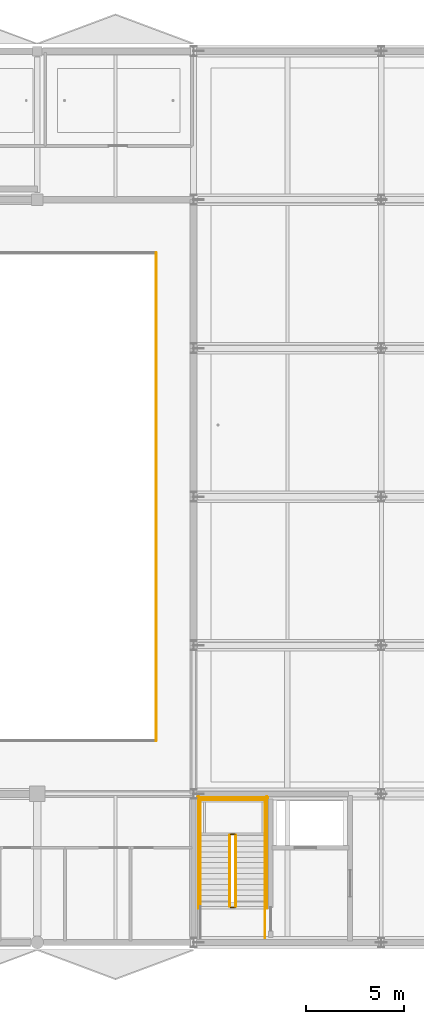
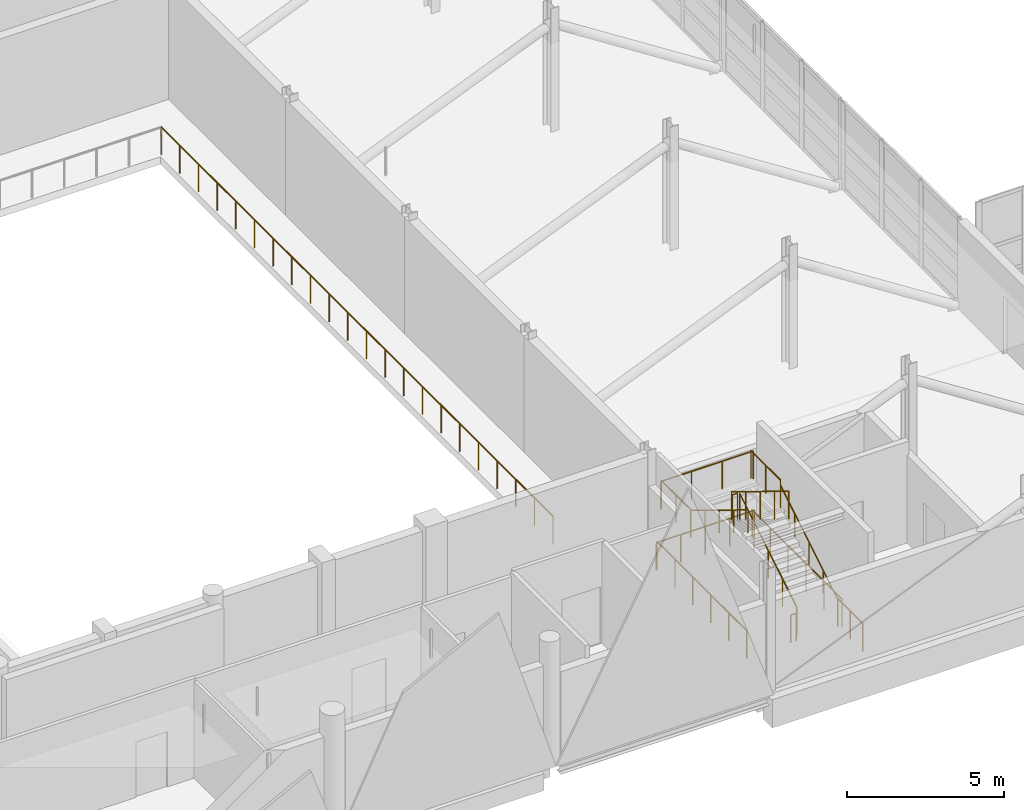
# One storey, part 129 of 141: 14 railings.
"""IFC4 building model written with IfcOpenShell, lengths in metres."""

from ifc_helpers import new_model, si_unit, direction, frame, origin, origin_2d, place, context, subcontext, project, spatial, circle, extrude, material, type_object, element, save


model = new_model("IFC4")

# Units and contexts
model_context = context("Model", 3, precision=1e-05, world=origin(), true_north=direction((0.0, 1.0)))
body_context = subcontext(model_context, "Body", "Model", "MODEL_VIEW")
ifc_project = project(units=[si_unit("LENGTHUNIT", "METRE"), si_unit("AREAUNIT", "SQUARE_METRE"), si_unit("VOLUMEUNIT", "CUBIC_METRE"), si_unit("PLANEANGLEUNIT", "RADIAN"), si_unit("MASSUNIT", "GRAM", prefix="KILO")], contexts=[model_context])

# Site, building, storey
site_placement = place(None, origin())
site = spatial("IfcSite", under=ifc_project, at=site_placement, CompositionType="ELEMENT")
building_placement = place(site_placement, origin())
building = spatial("IfcBuilding", under=site, at=building_placement, Name="Khelvaren Railside Concert Hall", CompositionType="ELEMENT")
storey_placement = place(building_placement, frame((0.0, 0.0, 10.199951171875)))
storey = spatial("IfcBuildingStorey", under=building, at=storey_placement, Name="L02", CompositionType="ELEMENT", Elevation=10.199951171875)

# Railings
ifc_material_1 = material(Name="Painted architectural steel", Category="steel")
railing_type_1 = type_object("IfcRailingType", Name="GRD86", PredefinedType="GUARDRAIL", material=ifc_material_1)
railing_1_placement = place(storey_placement, frame((42.14990234375, 1.840087890625, 0.17138671875)))
element("IfcRailing", 1, at=railing_1_placement, inside=storey, type_object=railing_type_1, Name="L02 ST-02 stair guard 1", PredefinedType="GUARDRAIL", context=body_context, shape_type="SweptSolid", body=[
    extrude(circle(Radius=0.02392578125, at=origin_2d()), frame((0.0, 0.0, 1.076171875), z_axis=(0.0, 0.852824790078, 0.522197163366), x_axis=(-1.0, 0.0, 0.0)), (0.0, 0.0, 1.0), 4.26806640625),
    extrude(circle(Radius=0.02099609375, at=origin_2d()), origin(), (0.0, 0.0, 1.0), 1.052001953125),
    extrude(circle(Radius=0.02099609375, at=origin_2d()), frame((0.0, 0.909912109375, 0.55712890625)), (0.0, 0.0, 1.0), 1.052001953125),
    extrude(circle(Radius=0.02099609375, at=origin_2d()), frame((0.0, 1.81982421875, 1.1142578125)), (0.0, 0.0, 1.0), 1.052001953125),
    extrude(circle(Radius=0.02099609375, at=origin_2d()), frame((0.0, 2.72998046875, 1.671630859375)), (0.0, 0.0, 1.0), 1.052001953125),
    extrude(circle(Radius=0.02099609375, at=origin_2d()), frame((0.0, 3.639892578125, 2.228759765625)), (0.0, 0.0, 1.0), 1.052001953125),
])
railing_2_placement = place(storey_placement, frame((42.10009765625, 5.530029296875, 2.400146484375)))
element("IfcRailing", 2, at=railing_2_placement, inside=storey, type_object=railing_type_1, Name="L02 ST-02 stair guard 2", PredefinedType="GUARDRAIL", context=body_context, shape_type="SweptSolid", body=[
    extrude(circle(Radius=0.02392578125, at=origin_2d()), frame((0.0, 0.0, 1.076171875), z_axis=(-1.0, 0.0, 0.0), x_axis=(0.0, -1.0, 0.0)), (0.0, 0.0, 1.0), 0.2001953125),
    extrude(circle(Radius=0.02099609375, at=origin_2d()), origin(), (0.0, 0.0, 1.0), 1.052001953125),
    extrude(circle(Radius=0.02099609375, at=origin_2d()), frame((-0.2001953125, 0.0, 0.0)), (0.0, 0.0, 1.0), 1.052001953125),
])
for number, where, name in (
    (3, (43.64990234375, 5.47998046875, 2.400146484375), "L02 ST-02 stair guard 3"),
    (4, (40.35009765625, 5.47998046875, 2.400146484375), "L02 ST-02 stair guard 4"),
):
    element("IfcRailing", number, at=place(storey_placement, frame(where)), inside=storey, type_object=railing_type_1, Name=name, PredefinedType="GUARDRAIL", context=body_context, shape_type="SweptSolid", body=[
        extrude(circle(Radius=0.02392578125, at=origin_2d()), frame((0.0, 0.0, 1.076171875), z_axis=(0.0, 1.0, 0.0), x_axis=(-1.0, 0.0, 0.0)), (0.0, 0.0, 1.0), 1.880126953125),
        extrude(circle(Radius=0.02099609375, at=origin_2d()), origin(), (0.0, 0.0, 1.0), 1.052001953125),
        extrude(circle(Radius=0.02099609375, at=origin_2d()), frame((0.0, 0.93994140625, 0.0)), (0.0, 0.0, 1.0), 1.052001953125),
        extrude(circle(Radius=0.02099609375, at=origin_2d()), frame((0.0, 1.880126953125, 0.0)), (0.0, 0.0, 1.0), 1.052001953125),
    ])
railing_3_placement = place(storey_placement, frame((43.699951171875, 7.31005859375, 2.400146484375)))
element("IfcRailing", 5, at=railing_3_placement, inside=storey, type_object=railing_type_1, Name="L02 ST-02 stair guard 5", PredefinedType="GUARDRAIL", context=body_context, shape_type="SweptSolid", body=[
    extrude(circle(Radius=0.02392578125, at=origin_2d()), frame((0.0, 0.0, 1.076171875), z_axis=(-1.0, 0.0, 0.0), x_axis=(0.0, -1.0, 0.0)), (0.0, 0.0, 1.0), 3.39990234375),
    extrude(circle(Radius=0.02099609375, at=origin_2d()), origin(), (0.0, 0.0, 1.0), 1.052001953125),
    extrude(circle(Radius=0.02099609375, at=origin_2d()), frame((-1.13330078125, 0.0, 0.0)), (0.0, 0.0, 1.0), 1.052001953125),
    extrude(circle(Radius=0.02099609375, at=origin_2d()), frame((-2.2666015625, 0.0, 0.0)), (0.0, 0.0, 1.0), 1.052001953125),
    extrude(circle(Radius=0.02099609375, at=origin_2d()), frame((-3.39990234375, 0.0, 0.0)), (0.0, 0.0, 1.0), 1.052001953125),
])
railing_4_placement = place(storey_placement, frame((41.85009765625, 5.47998046875, 2.571533203125)))
element("IfcRailing", 6, at=railing_4_placement, inside=storey, type_object=railing_type_1, Name="L02 ST-02 stair guard 6", PredefinedType="GUARDRAIL", context=body_context, shape_type="SweptSolid", body=[
    extrude(circle(Radius=0.02392578125, at=origin_2d()), frame((0.0, 0.0, 1.076171875), z_axis=(0.0, -0.852850264322, 0.5221555579), x_axis=(1.0, 0.0, 0.0)), (0.0, 0.0, 1.0), 4.267822265625),
    extrude(circle(Radius=0.02099609375, at=origin_2d()), origin(), (0.0, 0.0, 1.0), 1.052001953125),
    extrude(circle(Radius=0.02099609375, at=origin_2d()), frame((0.0, -0.909912109375, 0.55712890625)), (0.0, 0.0, 1.0), 1.052001953125),
    extrude(circle(Radius=0.02099609375, at=origin_2d()), frame((0.0, -1.81982421875, 1.1142578125)), (0.0, 0.0, 1.0), 1.052001953125),
    extrude(circle(Radius=0.02099609375, at=origin_2d()), frame((0.0, -2.72998046875, 1.67138671875)), (0.0, 0.0, 1.0), 1.052001953125),
    extrude(circle(Radius=0.02099609375, at=origin_2d()), frame((0.0, -3.639892578125, 2.228515625)), (0.0, 0.0, 1.0), 1.052001953125),
])
railing_5_placement = place(storey_placement, frame((42.10009765625, 1.7900390625, 0.0)))
element("IfcRailing", 7, at=railing_5_placement, inside=storey, type_object=railing_type_1, Name="L02 ST-02 stair guard 7", PredefinedType="GUARDRAIL", context=body_context, shape_type="SweptSolid", body=[
    extrude(circle(Radius=0.02392578125, at=origin_2d()), frame((0.0, 0.0, 1.076171875), z_axis=(-1.0, 0.0, 0.0), x_axis=(0.0, -1.0, 0.0)), (0.0, 0.0, 1.0), 0.2001953125),
    extrude(circle(Radius=0.02099609375, at=origin_2d()), origin(), (0.0, 0.0, 1.0), 1.052001953125),
    extrude(circle(Radius=0.02099609375, at=origin_2d()), frame((-0.2001953125, 0.0, 0.0)), (0.0, 0.0, 1.0), 1.052001953125),
])
railing_6_placement = place(storey_placement, frame((43.64990234375, 0.239990234375, 0.0)))
element("IfcRailing", 8, at=railing_6_placement, inside=storey, type_object=railing_type_1, Name="L02 ST-02 stair guard 8", PredefinedType="GUARDRAIL", context=body_context, shape_type="SweptSolid", body=[
    extrude(circle(Radius=0.02392578125, at=origin_2d()), frame((0.0, 0.0, 1.076171875), z_axis=(0.0, 1.0, 0.0), x_axis=(-1.0, 0.0, 0.0)), (0.0, 0.0, 1.0), 1.60009765625),
    extrude(circle(Radius=0.02099609375, at=origin_2d()), origin(), (0.0, 0.0, 1.0), 1.052001953125),
    extrude(circle(Radius=0.02099609375, at=origin_2d()), frame((0.0, 0.800048828125, 0.0)), (0.0, 0.0, 1.0), 1.052001953125),
    extrude(circle(Radius=0.02099609375, at=origin_2d()), frame((0.0, 1.60009765625, 0.0)), (0.0, 0.0, 1.0), 1.052001953125),
])
for number, where, name in (
    (9, (43.75, 1.739990234375, 0.0), "L02 ST-02 stair guard 10"),
    (10, (40.25, 1.739990234375, 0.0), "L02 ST-02 stair guard 11"),
):
    element("IfcRailing", number, at=place(storey_placement, frame(where)), inside=storey, type_object=railing_type_1, Name=name, PredefinedType="GUARDRAIL", context=body_context, shape_type="SweptSolid", body=[
        extrude(circle(Radius=0.02392578125, at=origin_2d()), frame((0.0, 0.0, 1.076171875), z_axis=(0.0, 1.0, 0.0), x_axis=(-1.0, 0.0, 0.0)), (0.0, 0.0, 1.0), 5.719970703125),
        extrude(circle(Radius=0.02099609375, at=origin_2d()), origin(), (0.0, 0.0, 1.0), 1.052001953125),
        extrude(circle(Radius=0.02099609375, at=origin_2d()), frame((0.0, 1.14404296875, 0.0)), (0.0, 0.0, 1.0), 1.052001953125),
        extrude(circle(Radius=0.02099609375, at=origin_2d()), frame((0.0, 2.2880859375, 0.0)), (0.0, 0.0, 1.0), 1.052001953125),
        extrude(circle(Radius=0.02099609375, at=origin_2d()), frame((0.0, 3.431884765625, 0.0)), (0.0, 0.0, 1.0), 1.052001953125),
        extrude(circle(Radius=0.02099609375, at=origin_2d()), frame((0.0, 4.575927734375, 0.0)), (0.0, 0.0, 1.0), 1.052001953125),
        extrude(circle(Radius=0.02099609375, at=origin_2d()), frame((0.0, 5.719970703125, 0.0)), (0.0, 0.0, 1.0), 1.052001953125),
    ])
railing_7_placement = place(storey_placement, frame((43.800048828125, 7.409912109375, 0.0)))
element("IfcRailing", 11, at=railing_7_placement, inside=storey, type_object=railing_type_1, Name="L02 ST-02 stair guard 12", PredefinedType="GUARDRAIL", context=body_context, shape_type="SweptSolid", body=[
    extrude(circle(Radius=0.02392578125, at=origin_2d()), frame((0.0, 0.0, 1.076171875), z_axis=(-1.0, 0.0, 0.0), x_axis=(0.0, -1.0, 0.0)), (0.0, 0.0, 1.0), 3.60009765625),
    extrude(circle(Radius=0.02099609375, at=origin_2d()), origin(), (0.0, 0.0, 1.0), 1.052001953125),
    extrude(circle(Radius=0.02099609375, at=origin_2d()), frame((-0.89990234375, 0.0, 0.0)), (0.0, 0.0, 1.0), 1.052001953125),
    extrude(circle(Radius=0.02099609375, at=origin_2d()), frame((-1.800048828125, 0.0, 0.0)), (0.0, 0.0, 1.0), 1.052001953125),
    extrude(circle(Radius=0.02099609375, at=origin_2d()), frame((-2.7001953125, 0.0, 0.0)), (0.0, 0.0, 1.0), 1.052001953125),
    extrude(circle(Radius=0.02099609375, at=origin_2d()), frame((-3.60009765625, 0.0, 0.0)), (0.0, 0.0, 1.0), 1.052001953125),
])
ifc_material_2 = material(Name="Acoustic bronze and laminated glass guardrail", Category="glass")
railing_type_2 = type_object("IfcRailingType", Name="GRD91", PredefinedType="GUARDRAIL", material=ifc_material_2)
railing_8_placement = place(storey_placement, frame((38.080078125, 10.320068359375, 0.0)))
element("IfcRailing", 12, at=railing_8_placement, inside=storey, type_object=railing_type_2, Name="V1 L02 Acoustic Bowl Edge Guardrail E", PredefinedType="GUARDRAIL", context=body_context, shape_type="SweptSolid", body=[
    extrude(circle(Radius=0.02392578125, at=origin_2d()), frame((0.0, 0.0, 1.076171875), z_axis=(0.0, 1.0, 0.0), x_axis=(-1.0, 0.0, 0.0)), (0.0, 0.0, 1.0), 24.9599609375),
    extrude(circle(Radius=0.02099609375, at=origin_2d()), origin(), (0.0, 0.0, 1.0), 1.052001953125),
    extrude(circle(Radius=0.02099609375, at=origin_2d()), frame((0.0, 1.1884765625, 0.0)), (0.0, 0.0, 1.0), 1.052001953125),
    extrude(circle(Radius=0.02099609375, at=origin_2d()), frame((0.0, 2.377197265625, 0.0)), (0.0, 0.0, 1.0), 1.052001953125),
    extrude(circle(Radius=0.02099609375, at=origin_2d()), frame((0.0, 3.565673828125, 0.0)), (0.0, 0.0, 1.0), 1.052001953125),
    extrude(circle(Radius=0.02099609375, at=origin_2d()), frame((0.0, 4.75439453125, 0.0)), (0.0, 0.0, 1.0), 1.052001953125),
    extrude(circle(Radius=0.02099609375, at=origin_2d()), frame((0.0, 5.94287109375, 0.0)), (0.0, 0.0, 1.0), 1.052001953125),
    extrude(circle(Radius=0.02099609375, at=origin_2d()), frame((0.0, 7.13134765625, 0.0)), (0.0, 0.0, 1.0), 1.052001953125),
    extrude(circle(Radius=0.02099609375, at=origin_2d()), frame((0.0, 8.320068359375, 0.0)), (0.0, 0.0, 1.0), 1.052001953125),
    extrude(circle(Radius=0.02099609375, at=origin_2d()), frame((0.0, 9.508544921875, 0.0)), (0.0, 0.0, 1.0), 1.052001953125),
    extrude(circle(Radius=0.02099609375, at=origin_2d()), frame((0.0, 10.697021484375, 0.0)), (0.0, 0.0, 1.0), 1.052001953125),
    extrude(circle(Radius=0.02099609375, at=origin_2d()), frame((0.0, 11.8857421875, 0.0)), (0.0, 0.0, 1.0), 1.052001953125),
    extrude(circle(Radius=0.02099609375, at=origin_2d()), frame((0.0, 13.07421875, 0.0)), (0.0, 0.0, 1.0), 1.052001953125),
    extrude(circle(Radius=0.02099609375, at=origin_2d()), frame((0.0, 14.262939453125, 0.0)), (0.0, 0.0, 1.0), 1.052001953125),
    extrude(circle(Radius=0.02099609375, at=origin_2d()), frame((0.0, 15.451416015625, 0.0)), (0.0, 0.0, 1.0), 1.052001953125),
    extrude(circle(Radius=0.02099609375, at=origin_2d()), frame((0.0, 16.639892578125, 0.0)), (0.0, 0.0, 1.0), 1.052001953125),
    extrude(circle(Radius=0.02099609375, at=origin_2d()), frame((0.0, 17.82861328125, 0.0)), (0.0, 0.0, 1.0), 1.052001953125),
    extrude(circle(Radius=0.02099609375, at=origin_2d()), frame((0.0, 19.01708984375, 0.0)), (0.0, 0.0, 1.0), 1.052001953125),
    extrude(circle(Radius=0.02099609375, at=origin_2d()), frame((0.0, 20.20556640625, 0.0)), (0.0, 0.0, 1.0), 1.052001953125),
    extrude(circle(Radius=0.02099609375, at=origin_2d()), frame((0.0, 21.394287109375, 0.0)), (0.0, 0.0, 1.0), 1.052001953125),
    extrude(circle(Radius=0.02099609375, at=origin_2d()), frame((0.0, 22.582763671875, 0.0)), (0.0, 0.0, 1.0), 1.052001953125),
    extrude(circle(Radius=0.02099609375, at=origin_2d()), frame((0.0, 23.771484375, 0.0)), (0.0, 0.0, 1.0), 1.052001953125),
    extrude(circle(Radius=0.02099609375, at=origin_2d()), frame((0.0, 24.9599609375, 0.0)), (0.0, 0.0, 1.0), 1.052001953125),
])
ifc_material_3 = material(Name="Brushed stainless steel Grade 316", Category="steel")
railing_type_3 = type_object("IfcRailingType", Name="HRL59", PredefinedType="HANDRAIL", material=ifc_material_3)
railing_9_placement = place(storey_placement, frame((43.64990234375, 1.840087890625, 0.17138671875)))
element("IfcRailing", 13, at=railing_9_placement, inside=storey, type_object=railing_type_3, Name="L02 ST-02 stair handrail 1", PredefinedType="HANDRAIL", context=body_context, shape_type="SweptSolid", body=[
    extrude(circle(Radius=0.02392578125, at=origin_2d()), frame((0.0, 0.0, 0.8759765625), z_axis=(0.0, 0.852824790078, 0.522197163366), x_axis=(-1.0, 0.0, 0.0)), (0.0, 0.0, 1.0), 4.26806640625),
    extrude(circle(Radius=0.02099609375, at=origin_2d()), origin(), (0.0, 0.0, 1.0), 0.851806640625),
    extrude(circle(Radius=0.02099609375, at=origin_2d()), frame((0.0, 0.909912109375, 0.55712890625)), (0.0, 0.0, 1.0), 0.851806640625),
    extrude(circle(Radius=0.02099609375, at=origin_2d()), frame((0.0, 1.81982421875, 1.1142578125)), (0.0, 0.0, 1.0), 0.851806640625),
    extrude(circle(Radius=0.02099609375, at=origin_2d()), frame((0.0, 2.72998046875, 1.671630859375)), (0.0, 0.0, 1.0), 0.851806640625),
    extrude(circle(Radius=0.02099609375, at=origin_2d()), frame((0.0, 3.639892578125, 2.228759765625)), (0.0, 0.0, 1.0), 0.851806640625),
])
railing_10_placement = place(storey_placement, frame((40.35009765625, 5.47998046875, 2.571533203125)))
element("IfcRailing", 14, at=railing_10_placement, inside=storey, type_object=railing_type_3, Name="L02 ST-02 stair handrail 2", PredefinedType="HANDRAIL", context=body_context, shape_type="SweptSolid", body=[
    extrude(circle(Radius=0.02392578125, at=origin_2d()), frame((0.0, 0.0, 0.8759765625), z_axis=(0.0, -0.852850264322, 0.5221555579), x_axis=(1.0, 0.0, 0.0)), (0.0, 0.0, 1.0), 4.267822265625),
    extrude(circle(Radius=0.02099609375, at=origin_2d()), origin(), (0.0, 0.0, 1.0), 0.851806640625),
    extrude(circle(Radius=0.02099609375, at=origin_2d()), frame((0.0, -0.909912109375, 0.55712890625)), (0.0, 0.0, 1.0), 0.851806640625),
    extrude(circle(Radius=0.02099609375, at=origin_2d()), frame((0.0, -1.81982421875, 1.1142578125)), (0.0, 0.0, 1.0), 0.851806640625),
    extrude(circle(Radius=0.02099609375, at=origin_2d()), frame((0.0, -2.72998046875, 1.67138671875)), (0.0, 0.0, 1.0), 0.851806640625),
    extrude(circle(Radius=0.02099609375, at=origin_2d()), frame((0.0, -3.639892578125, 2.228515625)), (0.0, 0.0, 1.0), 0.851806640625),
])

save(model, "model.ifc")
